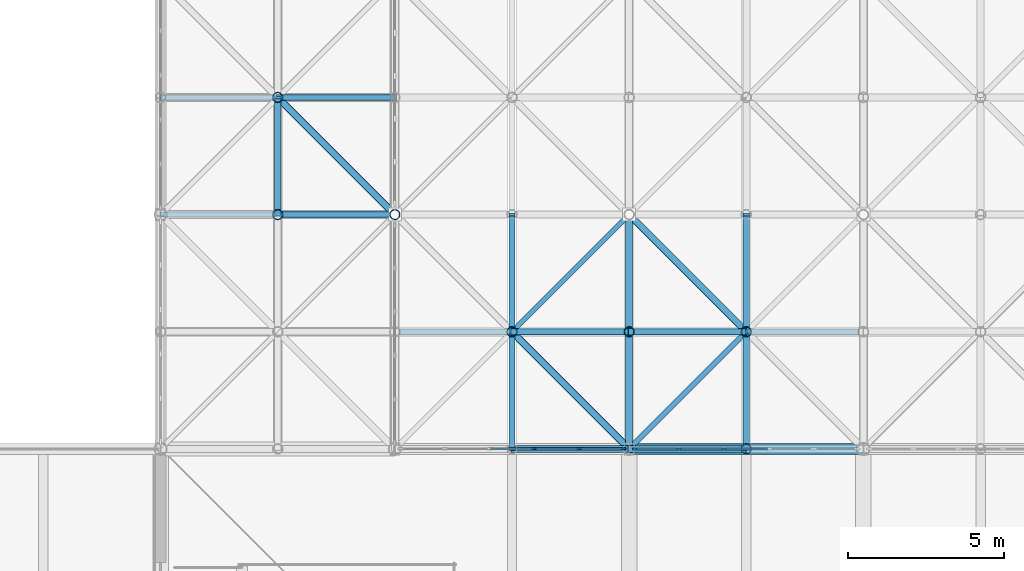
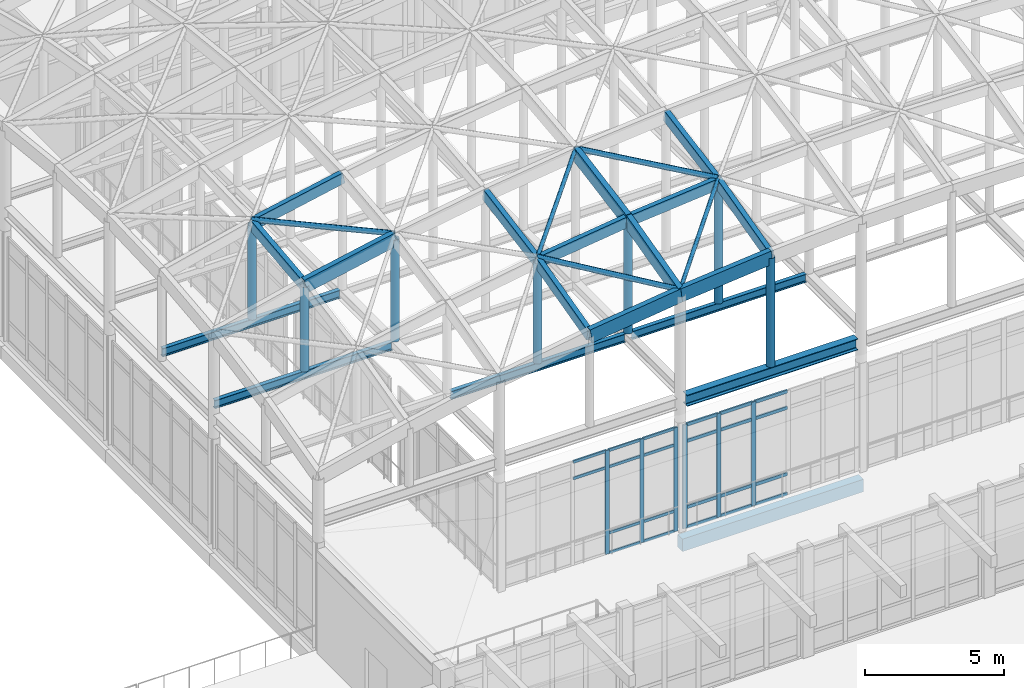
# One storey, part 32 of 131: 53 members, 6 beams, 2 elements without a shape of their own.
"""IFC4 building model written with IfcOpenShell, lengths in metres."""

from ifc_helpers import new_model, si_unit, direction, frame, origin, origin_2d, place, context, subcontext, project, spatial, rectangle, hollow_circle, i_section, extrude, material, layer, layer_set, material_profile, profile_set, type_object, element, aggregate, save


model = new_model("IFC4")

# Units and contexts
model_context = context("Model", 3, precision=1e-05, world=origin(), true_north=direction((0.0, 1.0)))
body_context = subcontext(model_context, "Body", "Model", "MODEL_VIEW")
ifc_project = project(units=[si_unit("LENGTHUNIT", "METRE"), si_unit("AREAUNIT", "SQUARE_METRE"), si_unit("VOLUMEUNIT", "CUBIC_METRE"), si_unit("PLANEANGLEUNIT", "RADIAN"), si_unit("MASSUNIT", "GRAM", prefix="KILO")], contexts=[model_context])

# Site, building, storey
site_placement = place(None, origin())
site = spatial("IfcSite", under=ifc_project, at=site_placement, CompositionType="ELEMENT")
building_placement = place(site_placement, origin())
building = spatial("IfcBuilding", under=site, at=building_placement, Name="Dalvernix Boulevard General Hospital", CompositionType="ELEMENT")
storey_placement = place(building_placement, frame((0.0, 0.0, 9.300048828125)))
storey = spatial("IfcBuildingStorey", under=building, at=storey_placement, Name="L02", CompositionType="ELEMENT", Elevation=9.300048828125)

# Beams
ifc_material_1 = material(Name="Steel S355", Category="steel")
ifc_material_profile_1 = material_profile(ifc_material_1, i_section(OverallWidth=0.300048828125, OverallDepth=0.5, WebThickness=0.014404296875, FlangeThickness=0.028076171875, FilletRadius=0.027099609375, at=origin_2d()), Name="HEB 500")
ifc_profile_set_1 = profile_set([ifc_material_profile_1], Name="Steel S355")
beam_type_1 = type_object("IfcBeamType", Name="BM-RB-02", PredefinedType="BEAM", material=ifc_profile_set_1)
beam_1_placement = place(storey_placement, frame((75.2099609375, 31.5, 5.64990234375), z_axis=(1.0, 0.0, 0.0), x_axis=(0.0, 1.0, 0.0)))
element("IfcBeam", 1, at=beam_1_placement, inside=storey, type_object=beam_type_1, Name="Gridshell Ring Beam S bay 3", PredefinedType="BEAM", context=body_context, shape_type="SweptSolid", body=[
    extrude(i_section(OverallWidth=0.300048828125, OverallDepth=0.5, WebThickness=0.014404296875, FlangeThickness=0.028076171875, FilletRadius=0.027099609375, at=origin_2d()), origin(), (0.0, 0.0, 1.0), 7.080078125),
])
ifc_material_profile_2 = material_profile(ifc_material_1, i_section(OverallWidth=0.169921875, OverallDepth=0.360107421875, WebThickness=0.008056640625, FlangeThickness=0.0126953125, FilletRadius=0.01806640625, at=origin_2d()), Name="IPE 360")
ifc_profile_set_2 = profile_set([ifc_material_profile_2], Name="Steel S355")
beam_type_2 = type_object("IfcBeamType", Name="BM-RB-08", PredefinedType="BEAM", material=ifc_profile_set_2)
for number, where, z_axis, x_axis, name in (
    (2, (67.64208984375, 35.25, 6.219970703125), (1.0, 0.0, 0.0), (0.0, 1.0, 0.0), "ROOF TRUSS Gridshell cross tie 2-1"),
    (3, (75.14208984375, 35.25, 6.219970703125), (1.0, 0.0, 0.0), (0.0, 1.0, 0.0), "ROOF TRUSS Gridshell cross tie 4-1"),
):
    element("IfcBeam", number, at=place(storey_placement, frame(where, z_axis=z_axis, x_axis=x_axis)), inside=storey, type_object=beam_type_2, Name=name, PredefinedType="BEAM", context=body_context, shape_type="SweptSolid", body=[
        extrude(i_section(OverallWidth=0.169921875, OverallDepth=0.360107421875, WebThickness=0.008056640625, FlangeThickness=0.0126953125, FilletRadius=0.01806640625, at=origin_2d()), origin(), (0.0, 0.0, 1.0), 7.2158203125),
    ])
for number, where, z_axis, x_axis, name in (
    (4, (60.0, 39.0, 6.219970703125), (1.0, 0.0, 0.0), (0.0, 1.0, 0.0), "ROOF TRUSS Gridshell cross tie 0-2"),
    (5, (60.0, 42.75, 6.219970703125), (1.0, 0.0, 0.0), (0.0, 1.0, 0.0), "ROOF TRUSS Gridshell cross tie 0-3"),
):
    element("IfcBeam", number, at=place(storey_placement, frame(where, z_axis=z_axis, x_axis=x_axis)), inside=storey, type_object=beam_type_2, Name=name, PredefinedType="BEAM", context=body_context, shape_type="SweptSolid", body=[
        extrude(i_section(OverallWidth=0.169921875, OverallDepth=0.360107421875, WebThickness=0.008056640625, FlangeThickness=0.0126953125, FilletRadius=0.01806640625, at=origin_2d()), origin(), (0.0, 0.0, 1.0), 7.35791015625),
    ])
ifc_material_2 = material(Name="Concrete C35/45", Category="concrete")
ifc_material_profile_3 = material_profile(ifc_material_2, rectangle(XDim=0.35009765625, YDim=0.550048828125, at=origin_2d()), Name="RCB 350x550")
ifc_profile_set_3 = profile_set([ifc_material_profile_3], Name="Concrete C35/45")
beam_type_3 = type_object("IfcBeamType", Name="BM-SB-01-E", PredefinedType="SPANDREL", material=ifc_profile_set_3)
beam_2_placement = place(storey_placement, frame((75.0, 31.5, -0.594970703125), z_axis=(1.0, 0.0, 0.0), x_axis=(0.0, 1.0, 0.0)))
element("IfcBeam", 6, at=beam_2_placement, inside=storey, type_object=beam_type_3, Name="L02 E-W girder E:11-12", PredefinedType="SPANDREL", context=body_context, shape_type="SweptSolid", body=[
    extrude(rectangle(XDim=0.35009765625, YDim=0.550048828125, at=origin_2d()), origin(), (0.0, 0.0, 1.0), 7.5),
])

# Curtain wall, members
ifc_material_3 = material(Name="Thermally broken aluminium and solar-control glass curtain wall", Category="aluminium")
ifc_layer_1 = layer(ifc_material_3, 0.159912109375)
ifc_layer_set_1 = layer_set([ifc_layer_1], Name="Thermally broken aluminium and solar-control glass curtain wall (CW-CW-A-72x46)")
curtain_wall_type_1 = type_object("IfcCurtainWallType", Name="CW-CW-A-72x46", PredefinedType="USERDEFINED", material=ifc_layer_set_1)
curtain_wall_1_placement = place(storey_placement, origin())
curtain_wall_1 = element("IfcCurtainWall", 7, at=curtain_wall_1_placement, inside=storey, type_object=curtain_wall_type_1, Name="L02 curtain wall CW-A-72x46 9-4", ObjectType="GLAZED FACADE", PredefinedType="USERDEFINED")
ifc_material_4 = material(Name="Aluminium EN AW-6060", Category="aluminium")
ifc_material_profile_4 = material_profile(ifc_material_4, rectangle(XDim=0.06005859375, YDim=0.159912109375, at=origin_2d()), Name="ALU MULL 60x160")
ifc_profile_set_4 = profile_set([ifc_material_profile_4], Name="Aluminium EN AW-6060")
member_type_1 = type_object("IfcMemberType", Name="MEM-CW-M1", PredefinedType="MULLION", material=ifc_profile_set_4)
member_1_placement = place(storey_placement, frame((71.968017578125, 31.5, 0.0), z_axis=(0.0, 0.0, 1.0), x_axis=(0.0, 1.0, 0.0)))
member_1 = element("IfcMember", 8, at=member_1_placement, type_object=member_type_1, Name="CW-A-72x46 mullion 4", PredefinedType="MULLION", context=body_context, shape_type="SweptSolid", body=[
    extrude(rectangle(XDim=0.06005859375, YDim=0.159912109375, at=origin_2d()), origin(), (0.0, 0.0, 1.0), 4.550048828125),
])
member_2_placement = place(storey_placement, frame((73.404052734375, 31.5, 0.0), z_axis=(0.0, 0.0, 1.0), x_axis=(0.0, 1.0, 0.0)))
member_2 = element("IfcMember", 9, at=member_2_placement, type_object=member_type_1, Name="CW-A-72x46 mullion 5", PredefinedType="MULLION", context=body_context, shape_type="SweptSolid", body=[
    extrude(rectangle(XDim=0.06005859375, YDim=0.159912109375, at=origin_2d()), origin(), (0.0, 0.0, 1.0), 4.550048828125),
])
member_3_placement = place(storey_placement, frame((74.81005859375, 31.5, 0.0), z_axis=(0.0, 0.0, 1.0), x_axis=(0.0, 1.0, 0.0)))
member_3 = element("IfcMember", 10, at=member_3_placement, type_object=member_type_1, Name="CW-A-72x46 mullion 6", PredefinedType="MULLION", context=body_context, shape_type="SweptSolid", body=[
    extrude(rectangle(XDim=0.06005859375, YDim=0.159912109375, at=origin_2d()), origin(), (0.0, 0.0, 1.0), 4.550048828125),
])

ifc_layer_2 = layer(ifc_material_3, 0.179931640625)
ifc_layer_set_2 = layer_set([ifc_layer_2], Name="Thermally broken aluminium and solar-control glass curtain wall (CW-CW-B-72x46)")
curtain_wall_type_2 = type_object("IfcCurtainWallType", Name="CW-CW-B-72x46", PredefinedType="USERDEFINED", material=ifc_layer_set_2)
curtain_wall_2_placement = place(storey_placement, origin())
curtain_wall_2 = element("IfcCurtainWall", 11, at=curtain_wall_2_placement, inside=storey, type_object=curtain_wall_type_2, Name="L02 curtain wall CW-B-72x46 10-4", ObjectType="GLAZED FACADE", PredefinedType="USERDEFINED")
ifc_material_profile_5 = material_profile(ifc_material_4, rectangle(XDim=0.06494140625, YDim=0.179931640625, at=origin_2d()), Name="ALU MULL 65x180")
ifc_profile_set_5 = profile_set([ifc_material_profile_5], Name="Aluminium EN AW-6060")
member_type_2 = type_object("IfcMemberType", Name="MEM-CW-M2", PredefinedType="MULLION", material=ifc_profile_set_5)
member_4_placement = place(storey_placement, frame((75.1923828125, 31.5, 0.0), z_axis=(0.0, 0.0, 1.0), x_axis=(0.0, 1.0, 0.0)))
member_4 = element("IfcMember", 12, at=member_4_placement, type_object=member_type_2, Name="CW-B-72x46 mullion 1", PredefinedType="MULLION", context=body_context, shape_type="SweptSolid", body=[
    extrude(rectangle(XDim=0.06494140625, YDim=0.179931640625, at=origin_2d()), origin(), (0.0, 0.0, 1.0), 4.550048828125),
])
member_5_placement = place(storey_placement, frame((76.595947265625, 31.5, 0.0), z_axis=(0.0, 0.0, 1.0), x_axis=(0.0, 1.0, 0.0)))
member_5 = element("IfcMember", 13, at=member_5_placement, type_object=member_type_2, Name="CW-B-72x46 mullion 2", PredefinedType="MULLION", context=body_context, shape_type="SweptSolid", body=[
    extrude(rectangle(XDim=0.06494140625, YDim=0.179931640625, at=origin_2d()), origin(), (0.0, 0.0, 1.0), 4.550048828125),
])
member_6_placement = place(storey_placement, frame((78.031982421875, 31.5, 0.0), z_axis=(0.0, 0.0, 1.0), x_axis=(0.0, 1.0, 0.0)))
member_6 = element("IfcMember", 14, at=member_6_placement, type_object=member_type_2, Name="CW-B-72x46 mullion 3", PredefinedType="MULLION", context=body_context, shape_type="SweptSolid", body=[
    extrude(rectangle(XDim=0.06494140625, YDim=0.179931640625, at=origin_2d()), origin(), (0.0, 0.0, 1.0), 4.550048828125),
])

# Member
ifc_material_profile_6 = material_profile(ifc_material_4, rectangle(XDim=0.06005859375, YDim=0.1201171875, at=origin_2d()), Name="ALU TRAN 60x120")
ifc_profile_set_6 = profile_set([ifc_material_profile_6], Name="Aluminium EN AW-6060")
member_type_3 = type_object("IfcMemberType", Name="MEM-CW-T1", PredefinedType="USERDEFINED", material=ifc_profile_set_6)
member_7_placement = place(storey_placement, frame((70.56201171875, 31.5, 3.800048828125), z_axis=(1.0, 0.0, 0.0), x_axis=(0.0, 1.0, 0.0)))
member_7 = element("IfcMember", 15, at=member_7_placement, type_object=member_type_3, Name="CW-A-72x46 transom 3.3", ObjectType="TRANSOM", PredefinedType="USERDEFINED", context=body_context, shape_type="SweptSolid", body=[
    extrude(rectangle(XDim=0.06005859375, YDim=0.1201171875, at=origin_2d()), origin(), (0.0, 0.0, 1.0), 1.3759765625),
])

member_8_placement = place(storey_placement, frame((70.56201171875, 31.5, 4.52001953125), z_axis=(1.0, 0.0, 0.0), x_axis=(0.0, 1.0, 0.0)))
member_8 = element("IfcMember", 16, at=member_8_placement, type_object=member_type_3, Name="CW-A-72x46 transom 3.4", ObjectType="TRANSOM", PredefinedType="USERDEFINED", context=body_context, shape_type="SweptSolid", body=[
    extrude(rectangle(XDim=0.06005859375, YDim=0.1201171875, at=origin_2d()), origin(), (0.0, 0.0, 1.0), 1.3759765625),
])

member_9_placement = place(storey_placement, frame((71.998046875, 31.5, 0.030029296875), z_axis=(1.0, 0.0, 0.0), x_axis=(0.0, 1.0, 0.0)))
member_9 = element("IfcMember", 17, at=member_9_placement, type_object=member_type_3, Name="CW-A-72x46 transom 4.1", ObjectType="TRANSOM", PredefinedType="USERDEFINED", context=body_context, shape_type="SweptSolid", body=[
    extrude(rectangle(XDim=0.06005859375, YDim=0.1201171875, at=origin_2d()), origin(), (0.0, 0.0, 1.0), 1.3759765625),
])

member_10_placement = place(storey_placement, frame((71.998046875, 31.5, 0.89990234375), z_axis=(1.0, 0.0, 0.0), x_axis=(0.0, 1.0, 0.0)))
member_10 = element("IfcMember", 18, at=member_10_placement, type_object=member_type_3, Name="CW-A-72x46 transom 4.2", ObjectType="TRANSOM", PredefinedType="USERDEFINED", context=body_context, shape_type="SweptSolid", body=[
    extrude(rectangle(XDim=0.06005859375, YDim=0.1201171875, at=origin_2d()), origin(), (0.0, 0.0, 1.0), 1.3759765625),
])

member_11_placement = place(storey_placement, frame((71.998046875, 31.5, 3.800048828125), z_axis=(1.0, 0.0, 0.0), x_axis=(0.0, 1.0, 0.0)))
member_11 = element("IfcMember", 19, at=member_11_placement, type_object=member_type_3, Name="CW-A-72x46 transom 4.3", ObjectType="TRANSOM", PredefinedType="USERDEFINED", context=body_context, shape_type="SweptSolid", body=[
    extrude(rectangle(XDim=0.06005859375, YDim=0.1201171875, at=origin_2d()), origin(), (0.0, 0.0, 1.0), 1.3759765625),
])

member_12_placement = place(storey_placement, frame((71.998046875, 31.5, 4.52001953125), z_axis=(1.0, 0.0, 0.0), x_axis=(0.0, 1.0, 0.0)))
member_12 = element("IfcMember", 20, at=member_12_placement, type_object=member_type_3, Name="CW-A-72x46 transom 4.4", ObjectType="TRANSOM", PredefinedType="USERDEFINED", context=body_context, shape_type="SweptSolid", body=[
    extrude(rectangle(XDim=0.06005859375, YDim=0.1201171875, at=origin_2d()), origin(), (0.0, 0.0, 1.0), 1.3759765625),
])

member_13_placement = place(storey_placement, frame((73.43408203125, 31.5, 0.030029296875), z_axis=(1.0, 0.0, 0.0), x_axis=(0.0, 1.0, 0.0)))
member_13 = element("IfcMember", 21, at=member_13_placement, type_object=member_type_3, Name="CW-A-72x46 transom 5.1", ObjectType="TRANSOM", PredefinedType="USERDEFINED", context=body_context, shape_type="SweptSolid", body=[
    extrude(rectangle(XDim=0.06005859375, YDim=0.1201171875, at=origin_2d()), origin(), (0.0, 0.0, 1.0), 1.345947265625),
])

member_14_placement = place(storey_placement, frame((73.43408203125, 31.5, 0.89990234375), z_axis=(1.0, 0.0, 0.0), x_axis=(0.0, 1.0, 0.0)))
member_14 = element("IfcMember", 22, at=member_14_placement, type_object=member_type_3, Name="CW-A-72x46 transom 5.2", ObjectType="TRANSOM", PredefinedType="USERDEFINED", context=body_context, shape_type="SweptSolid", body=[
    extrude(rectangle(XDim=0.06005859375, YDim=0.1201171875, at=origin_2d()), origin(), (0.0, 0.0, 1.0), 1.345947265625),
])

member_15_placement = place(storey_placement, frame((73.43408203125, 31.5, 3.800048828125), z_axis=(1.0, 0.0, 0.0), x_axis=(0.0, 1.0, 0.0)))
member_15 = element("IfcMember", 23, at=member_15_placement, type_object=member_type_3, Name="CW-A-72x46 transom 5.3", ObjectType="TRANSOM", PredefinedType="USERDEFINED", context=body_context, shape_type="SweptSolid", body=[
    extrude(rectangle(XDim=0.06005859375, YDim=0.1201171875, at=origin_2d()), origin(), (0.0, 0.0, 1.0), 1.345947265625),
])

member_16_placement = place(storey_placement, frame((73.43408203125, 31.5, 4.52001953125), z_axis=(1.0, 0.0, 0.0), x_axis=(0.0, 1.0, 0.0)))
member_16 = element("IfcMember", 24, at=member_16_placement, type_object=member_type_3, Name="CW-A-72x46 transom 5.4", ObjectType="TRANSOM", PredefinedType="USERDEFINED", context=body_context, shape_type="SweptSolid", body=[
    extrude(rectangle(XDim=0.06005859375, YDim=0.1201171875, at=origin_2d()), origin(), (0.0, 0.0, 1.0), 1.345947265625),
])

aggregate(curtain_wall_1, [member_1, member_2, member_3, member_7, member_8, member_9, member_10, member_11, member_12, member_13, member_14, member_15, member_16])

ifc_material_profile_7 = material_profile(ifc_material_4, rectangle(XDim=0.06494140625, YDim=0.139892578125, at=origin_2d()), Name="ALU TRAN 65x140")
ifc_profile_set_7 = profile_set([ifc_material_profile_7], Name="Aluminium EN AW-6060")
member_type_4 = type_object("IfcMemberType", Name="MEM-CW-T2", PredefinedType="USERDEFINED", material=ifc_profile_set_7)
member_17_placement = place(storey_placement, frame((75.22509765625, 31.5, 0.032470703125), z_axis=(1.0, 0.0, 0.0), x_axis=(0.0, 1.0, 0.0)))
member_17 = element("IfcMember", 25, at=member_17_placement, type_object=member_type_4, Name="CW-B-72x46 transom 1.1", ObjectType="TRANSOM", PredefinedType="USERDEFINED", context=body_context, shape_type="SweptSolid", body=[
    extrude(rectangle(XDim=0.06494140625, YDim=0.139892578125, at=origin_2d()), origin(), (0.0, 0.0, 1.0), 1.33837890625),
])

member_18_placement = place(storey_placement, frame((75.22509765625, 31.5, 0.89990234375), z_axis=(1.0, 0.0, 0.0), x_axis=(0.0, 1.0, 0.0)))
member_18 = element("IfcMember", 26, at=member_18_placement, type_object=member_type_4, Name="CW-B-72x46 transom 1.2", ObjectType="TRANSOM", PredefinedType="USERDEFINED", context=body_context, shape_type="SweptSolid", body=[
    extrude(rectangle(XDim=0.06494140625, YDim=0.139892578125, at=origin_2d()), origin(), (0.0, 0.0, 1.0), 1.33837890625),
])

member_19_placement = place(storey_placement, frame((75.22509765625, 31.5, 3.800048828125), z_axis=(1.0, 0.0, 0.0), x_axis=(0.0, 1.0, 0.0)))
member_19 = element("IfcMember", 27, at=member_19_placement, type_object=member_type_4, Name="CW-B-72x46 transom 1.3", ObjectType="TRANSOM", PredefinedType="USERDEFINED", context=body_context, shape_type="SweptSolid", body=[
    extrude(rectangle(XDim=0.06494140625, YDim=0.139892578125, at=origin_2d()), origin(), (0.0, 0.0, 1.0), 1.33837890625),
])

member_20_placement = place(storey_placement, frame((75.22509765625, 31.5, 4.517333984375), z_axis=(1.0, 0.0, 0.0), x_axis=(0.0, 1.0, 0.0)))
member_20 = element("IfcMember", 28, at=member_20_placement, type_object=member_type_4, Name="CW-B-72x46 transom 1.4", ObjectType="TRANSOM", PredefinedType="USERDEFINED", context=body_context, shape_type="SweptSolid", body=[
    extrude(rectangle(XDim=0.06494140625, YDim=0.139892578125, at=origin_2d()), origin(), (0.0, 0.0, 1.0), 1.33837890625),
])

member_21_placement = place(storey_placement, frame((76.62841796875, 31.5, 0.032470703125), z_axis=(1.0, 0.0, 0.0), x_axis=(0.0, 1.0, 0.0)))
member_21 = element("IfcMember", 29, at=member_21_placement, type_object=member_type_4, Name="CW-B-72x46 transom 2.1", ObjectType="TRANSOM", PredefinedType="USERDEFINED", context=body_context, shape_type="SweptSolid", body=[
    extrude(rectangle(XDim=0.06494140625, YDim=0.139892578125, at=origin_2d()), origin(), (0.0, 0.0, 1.0), 1.37109375),
])

member_22_placement = place(storey_placement, frame((76.62841796875, 31.5, 0.89990234375), z_axis=(1.0, 0.0, 0.0), x_axis=(0.0, 1.0, 0.0)))
member_22 = element("IfcMember", 30, at=member_22_placement, type_object=member_type_4, Name="CW-B-72x46 transom 2.2", ObjectType="TRANSOM", PredefinedType="USERDEFINED", context=body_context, shape_type="SweptSolid", body=[
    extrude(rectangle(XDim=0.06494140625, YDim=0.139892578125, at=origin_2d()), origin(), (0.0, 0.0, 1.0), 1.37109375),
])

member_23_placement = place(storey_placement, frame((76.62841796875, 31.5, 3.800048828125), z_axis=(1.0, 0.0, 0.0), x_axis=(0.0, 1.0, 0.0)))
member_23 = element("IfcMember", 31, at=member_23_placement, type_object=member_type_4, Name="CW-B-72x46 transom 2.3", ObjectType="TRANSOM", PredefinedType="USERDEFINED", context=body_context, shape_type="SweptSolid", body=[
    extrude(rectangle(XDim=0.06494140625, YDim=0.139892578125, at=origin_2d()), origin(), (0.0, 0.0, 1.0), 1.37109375),
])

member_24_placement = place(storey_placement, frame((76.62841796875, 31.5, 4.517333984375), z_axis=(1.0, 0.0, 0.0), x_axis=(0.0, 1.0, 0.0)))
member_24 = element("IfcMember", 32, at=member_24_placement, type_object=member_type_4, Name="CW-B-72x46 transom 2.4", ObjectType="TRANSOM", PredefinedType="USERDEFINED", context=body_context, shape_type="SweptSolid", body=[
    extrude(rectangle(XDim=0.06494140625, YDim=0.139892578125, at=origin_2d()), origin(), (0.0, 0.0, 1.0), 1.37109375),
])

member_25_placement = place(storey_placement, frame((78.064453125, 31.5, 0.032470703125), z_axis=(1.0, 0.0, 0.0), x_axis=(0.0, 1.0, 0.0)))
member_25 = element("IfcMember", 33, at=member_25_placement, type_object=member_type_4, Name="CW-B-72x46 transom 3.1", ObjectType="TRANSOM", PredefinedType="USERDEFINED", context=body_context, shape_type="SweptSolid", body=[
    extrude(rectangle(XDim=0.06494140625, YDim=0.139892578125, at=origin_2d()), origin(), (0.0, 0.0, 1.0), 1.37109375),
])

member_26_placement = place(storey_placement, frame((78.064453125, 31.5, 0.89990234375), z_axis=(1.0, 0.0, 0.0), x_axis=(0.0, 1.0, 0.0)))
member_26 = element("IfcMember", 34, at=member_26_placement, type_object=member_type_4, Name="CW-B-72x46 transom 3.2", ObjectType="TRANSOM", PredefinedType="USERDEFINED", context=body_context, shape_type="SweptSolid", body=[
    extrude(rectangle(XDim=0.06494140625, YDim=0.139892578125, at=origin_2d()), origin(), (0.0, 0.0, 1.0), 1.37109375),
])

member_27_placement = place(storey_placement, frame((78.064453125, 31.5, 3.800048828125), z_axis=(1.0, 0.0, 0.0), x_axis=(0.0, 1.0, 0.0)))
member_27 = element("IfcMember", 35, at=member_27_placement, type_object=member_type_4, Name="CW-B-72x46 transom 3.3", ObjectType="TRANSOM", PredefinedType="USERDEFINED", context=body_context, shape_type="SweptSolid", body=[
    extrude(rectangle(XDim=0.06494140625, YDim=0.139892578125, at=origin_2d()), origin(), (0.0, 0.0, 1.0), 1.37109375),
])

member_28_placement = place(storey_placement, frame((78.064453125, 31.5, 4.517333984375), z_axis=(1.0, 0.0, 0.0), x_axis=(0.0, 1.0, 0.0)))
member_28 = element("IfcMember", 36, at=member_28_placement, type_object=member_type_4, Name="CW-B-72x46 transom 3.4", ObjectType="TRANSOM", PredefinedType="USERDEFINED", context=body_context, shape_type="SweptSolid", body=[
    extrude(rectangle(XDim=0.06494140625, YDim=0.139892578125, at=origin_2d()), origin(), (0.0, 0.0, 1.0), 1.37109375),
])

aggregate(curtain_wall_2, [member_4, member_5, member_6, member_17, member_18, member_19, member_20, member_21, member_22, member_23, member_24, member_25, member_26, member_27, member_28])

# Members
ifc_material_5 = material(Name="Glulam GL28h", Category="wood")
ifc_material_profile_8 = material_profile(ifc_material_5, rectangle(XDim=0.219970703125, YDim=0.60009765625, at=origin_2d()), Name="GL28h 220x600")
ifc_profile_set_8 = profile_set([ifc_material_profile_8], Name="Glulam GL28h")
member_type_5 = type_object("IfcMemberType", Name="MEM-GS-C1", PredefinedType="CHORD", material=ifc_profile_set_8)
member_29_placement = place(storey_placement, frame((71.25, 31.5, 9.83984375), z_axis=(0.99171987465, 0.0, 0.128419975956), x_axis=(0.0, 1.0, 0.0)))
element("IfcMember", 37, at=member_29_placement, inside=storey, type_object=member_type_5, Name="ROOF TRUSS Gridshell E-W glulam rib 4-1", PredefinedType="CHORD", context=body_context, shape_type="SweptSolid", body=[
    extrude(rectangle(XDim=0.219970703125, YDim=0.60009765625, at=origin_2d()), origin(), (0.0, 0.0, 1.0), 3.78125),
])
member_30_placement = place(storey_placement, frame((75.0, 31.5, 10.325439453125), z_axis=(0.995747945021, 0.0, 0.092119650382), x_axis=(0.0, 1.0, 0.0)))
element("IfcMember", 38, at=member_30_placement, inside=storey, type_object=member_type_5, Name="ROOF TRUSS Gridshell E-W glulam rib 5-1", PredefinedType="CHORD", context=body_context, shape_type="SweptSolid", body=[
    extrude(rectangle(XDim=0.219970703125, YDim=0.60009765625, at=origin_2d()), origin(), (0.0, 0.0, 1.0), 3.76611328125),
])
member_31_placement = place(storey_placement, frame((63.75, 39.0, 10.10205078125), z_axis=(0.979912579686, 0.0, 0.1994275211), x_axis=(0.0, 1.0, 0.0)))
element("IfcMember", 39, at=member_31_placement, inside=storey, type_object=member_type_5, Name="ROOF TRUSS Gridshell E-W glulam rib 2-3", PredefinedType="CHORD", context=body_context, shape_type="SweptSolid", body=[
    extrude(rectangle(XDim=0.219970703125, YDim=0.60009765625, at=origin_2d()), origin(), (0.0, 0.0, 1.0), 3.826904296875),
])
member_32_placement = place(storey_placement, frame((75.0, 31.5, 10.325439453125), z_axis=(0.0, 0.968610158303, 0.248584716408), x_axis=(-1.0, 0.0, 0.0)))
element("IfcMember", 40, at=member_32_placement, inside=storey, type_object=member_type_5, Name="ROOF TRUSS Gridshell N-S glulam rib 5-1", PredefinedType="CHORD", context=body_context, shape_type="SweptSolid", body=[
    extrude(rectangle(XDim=0.219970703125, YDim=0.60009765625, at=origin_2d()), origin(), (0.0, 0.0, 1.0), 3.87158203125),
])
member_33_placement = place(storey_placement, frame((75.0, 35.25, 11.287841796875), z_axis=(0.0, 0.983606557377, 0.180327868852), x_axis=(-1.0, 0.0, 0.0)))
element("IfcMember", 41, at=member_33_placement, inside=storey, type_object=member_type_5, Name="ROOF TRUSS Gridshell N-S glulam rib 5-2", PredefinedType="CHORD", context=body_context, shape_type="SweptSolid", body=[
    extrude(rectangle(XDim=0.219970703125, YDim=0.60009765625, at=origin_2d()), origin(), (0.0, 0.0, 1.0), 3.8125),
])
ifc_material_profile_9 = material_profile(ifc_material_5, rectangle(XDim=0.199951171875, YDim=0.47998046875, at=origin_2d()), Name="GL28h 200x480")
ifc_profile_set_9 = profile_set([ifc_material_profile_9], Name="Glulam GL28h")
member_type_6 = type_object("IfcMemberType", Name="MEM-GS-C2", PredefinedType="CHORD", material=ifc_profile_set_9)
member_34_placement = place(storey_placement, frame((71.25, 35.25, 10.80224609375), z_axis=(0.99171987465, 0.0, 0.128419975956), x_axis=(0.0, 1.0, 0.0)))
element("IfcMember", 42, at=member_34_placement, inside=storey, type_object=member_type_6, Name="ROOF TRUSS Gridshell E-W glulam rib 4-2", PredefinedType="CHORD", context=body_context, shape_type="SweptSolid", body=[
    extrude(rectangle(XDim=0.199951171875, YDim=0.47998046875, at=origin_2d()), origin(), (0.0, 0.0, 1.0), 3.78125),
])
member_35_placement = place(storey_placement, frame((75.0, 35.25, 11.287841796875), z_axis=(0.995747945021, 0.0, 0.092119650382), x_axis=(0.0, 1.0, 0.0)))
element("IfcMember", 43, at=member_35_placement, inside=storey, type_object=member_type_6, Name="ROOF TRUSS Gridshell E-W glulam rib 5-2", PredefinedType="CHORD", context=body_context, shape_type="SweptSolid", body=[
    extrude(rectangle(XDim=0.199951171875, YDim=0.47998046875, at=origin_2d()), origin(), (0.0, 0.0, 1.0), 3.76611328125),
])
member_36_placement = place(storey_placement, frame((63.75, 42.75, 10.514404296875), z_axis=(0.979900110741, 0.0, 0.199488779055), x_axis=(0.0, 1.0, 0.0)))
element("IfcMember", 44, at=member_36_placement, inside=storey, type_object=member_type_6, Name="ROOF TRUSS Gridshell E-W glulam rib 2-4", PredefinedType="CHORD", context=body_context, shape_type="SweptSolid", body=[
    extrude(rectangle(XDim=0.199951171875, YDim=0.47998046875, at=origin_2d()), origin(), (0.0, 0.0, 1.0), 3.826904296875),
])
member_37_placement = place(storey_placement, frame((63.75, 39.0, 10.10205078125), z_axis=(0.0, 0.994008575263, 0.109302114819), x_axis=(-1.0, 0.0, 0.0)))
element("IfcMember", 45, at=member_37_placement, inside=storey, type_object=member_type_6, Name="ROOF TRUSS Gridshell N-S glulam rib 2-3", PredefinedType="CHORD", context=body_context, shape_type="SweptSolid", body=[
    extrude(rectangle(XDim=0.199951171875, YDim=0.47998046875, at=origin_2d()), origin(), (0.0, 0.0, 1.0), 3.772705078125),
])
member_38_placement = place(storey_placement, frame((71.25, 31.5, 9.83984375), z_axis=(0.0, 0.968610158303, 0.248584716408), x_axis=(-1.0, 0.0, 0.0)))
element("IfcMember", 46, at=member_38_placement, inside=storey, type_object=member_type_6, Name="ROOF TRUSS Gridshell N-S glulam rib 4-1", PredefinedType="CHORD", context=body_context, shape_type="SweptSolid", body=[
    extrude(rectangle(XDim=0.199951171875, YDim=0.47998046875, at=origin_2d()), origin(), (0.0, 0.0, 1.0), 3.87158203125),
])
member_39_placement = place(storey_placement, frame((71.25, 35.25, 10.80224609375), z_axis=(0.0, 0.983606557377, 0.180327868852), x_axis=(-1.0, 0.0, 0.0)))
element("IfcMember", 47, at=member_39_placement, inside=storey, type_object=member_type_6, Name="ROOF TRUSS Gridshell N-S glulam rib 4-2", PredefinedType="CHORD", context=body_context, shape_type="SweptSolid", body=[
    extrude(rectangle(XDim=0.199951171875, YDim=0.47998046875, at=origin_2d()), origin(), (0.0, 0.0, 1.0), 3.8125),
])
member_40_placement = place(storey_placement, frame((78.75, 31.5, 10.67236328125), z_axis=(0.0, 0.968610158303, 0.248584716408), x_axis=(-1.0, 0.0, 0.0)))
element("IfcMember", 48, at=member_40_placement, inside=storey, type_object=member_type_6, Name="ROOF TRUSS Gridshell N-S glulam rib 6-1", PredefinedType="CHORD", context=body_context, shape_type="SweptSolid", body=[
    extrude(rectangle(XDim=0.199951171875, YDim=0.47998046875, at=origin_2d()), origin(), (0.0, 0.0, 1.0), 3.87158203125),
])
member_41_placement = place(storey_placement, frame((78.75, 35.25, 11.634765625), z_axis=(0.0, 0.983606557377, 0.180327868852), x_axis=(-1.0, 0.0, 0.0)))
element("IfcMember", 49, at=member_41_placement, inside=storey, type_object=member_type_6, Name="ROOF TRUSS Gridshell N-S glulam rib 6-2", PredefinedType="CHORD", context=body_context, shape_type="SweptSolid", body=[
    extrude(rectangle(XDim=0.199951171875, YDim=0.47998046875, at=origin_2d()), origin(), (0.0, 0.0, 1.0), 3.8125),
])
ifc_material_profile_10 = material_profile(ifc_material_1, hollow_circle(Radius=0.161865234375, WallThickness=0.012451171875, at=origin_2d()), Name="CHS 323.9x12.5")
ifc_profile_set_10 = profile_set([ifc_material_profile_10], Name="Steel S355")
member_type_7 = type_object("IfcMemberType", Name="MEM-GS-C3", PredefinedType="CHORD", material=ifc_profile_set_10)
member_42_placement = place(storey_placement, frame((78.75, 31.5, 5.89990234375), z_axis=(0.0, 0.0, 1.0), x_axis=(1.0, 0.0, 0.0)))
element("IfcMember", 50, at=member_42_placement, inside=storey, type_object=member_type_7, Name="Gridshell edge mullion 5-0", PredefinedType="CHORD", context=body_context, shape_type="SweptSolid", body=[
    extrude(hollow_circle(Radius=0.161865234375, WallThickness=0.012451171875, at=origin_2d()), origin(), (0.0, 0.0, 1.0), 4.7724609375),
])
member_43_placement = place(storey_placement, frame((63.75, 39.0, 6.39990234375), z_axis=(0.0, 0.0, 1.0), x_axis=(1.0, 0.0, 0.0)))
element("IfcMember", 51, at=member_43_placement, inside=storey, type_object=member_type_7, Name="ROOF TRUSS Gridshell arch queen post 1-2", PredefinedType="CHORD", context=body_context, shape_type="SweptSolid", body=[
    extrude(hollow_circle(Radius=0.161865234375, WallThickness=0.012451171875, at=origin_2d()), origin(), (0.0, 0.0, 1.0), 3.7021484375),
])
member_44_placement = place(storey_placement, frame((63.75, 42.75, 6.39990234375), z_axis=(0.0, 0.0, 1.0), x_axis=(1.0, 0.0, 0.0)))
element("IfcMember", 52, at=member_44_placement, inside=storey, type_object=member_type_7, Name="ROOF TRUSS Gridshell arch queen post 1-3", PredefinedType="CHORD", context=body_context, shape_type="SweptSolid", body=[
    extrude(hollow_circle(Radius=0.161865234375, WallThickness=0.012451171875, at=origin_2d()), origin(), (0.0, 0.0, 1.0), 4.114501953125),
])
member_45_placement = place(storey_placement, frame((67.5, 39.0, 6.39990234375), z_axis=(0.0, 0.0, 1.0), x_axis=(1.0, 0.0, 0.0)))
element("IfcMember", 53, at=member_45_placement, inside=storey, type_object=member_type_7, Name="ROOF TRUSS Gridshell arch queen post 2-2", PredefinedType="CHORD", context=body_context, shape_type="SweptSolid", body=[
    extrude(hollow_circle(Radius=0.161865234375, WallThickness=0.012451171875, at=origin_2d()), origin(), (0.0, 0.0, 1.0), 4.46533203125),
])
member_46_placement = place(storey_placement, frame((71.25, 35.25, 6.39990234375), z_axis=(0.0, 0.0, 1.0), x_axis=(1.0, 0.0, 0.0)))
element("IfcMember", 54, at=member_46_placement, inside=storey, type_object=member_type_7, Name="ROOF TRUSS Gridshell arch queen post 3-1", PredefinedType="CHORD", context=body_context, shape_type="SweptSolid", body=[
    extrude(hollow_circle(Radius=0.161865234375, WallThickness=0.012451171875, at=origin_2d()), origin(), (0.0, 0.0, 1.0), 4.40234375),
])
member_47_placement = place(storey_placement, frame((75.0, 35.25, 6.39990234375), z_axis=(0.0, 0.0, 1.0), x_axis=(1.0, 0.0, 0.0)))
element("IfcMember", 55, at=member_47_placement, inside=storey, type_object=member_type_7, Name="ROOF TRUSS Gridshell arch queen post 4-1", PredefinedType="CHORD", context=body_context, shape_type="SweptSolid", body=[
    extrude(hollow_circle(Radius=0.161865234375, WallThickness=0.012451171875, at=origin_2d()), origin(), (0.0, 0.0, 1.0), 4.887939453125),
])
member_48_placement = place(storey_placement, frame((78.75, 35.25, 6.39990234375), z_axis=(0.0, 0.0, 1.0), x_axis=(1.0, 0.0, 0.0)))
element("IfcMember", 56, at=member_48_placement, inside=storey, type_object=member_type_7, Name="ROOF TRUSS Gridshell arch queen post 5-1", PredefinedType="CHORD", context=body_context, shape_type="SweptSolid", body=[
    extrude(hollow_circle(Radius=0.161865234375, WallThickness=0.012451171875, at=origin_2d()), origin(), (0.0, 0.0, 1.0), 5.23486328125),
])
ifc_material_profile_11 = material_profile(ifc_material_1, hollow_circle(Radius=0.084228515625, WallThickness=0.00634765625, at=origin_2d()), Name="CHS 168.3x6.3")
ifc_profile_set_11 = profile_set([ifc_material_profile_11], Name="Steel S355")
member_type_8 = type_object("IfcMemberType", Name="MEM-GSD-01", PredefinedType="BRACE", material=ifc_profile_set_11)
member_49_placement = place(storey_placement, frame((71.25, 35.25, 10.9921875), z_axis=(0.690410761728, 0.690410761728, 0.216023054744), x_axis=(-0.707106781187, 0.707106781187, 0.0)))
element("IfcMember", 57, at=member_49_placement, inside=storey, type_object=member_type_8, Name="ROOF TRUSS Gridshell diagrid tube 4-2", PredefinedType="BRACE", context=body_context, shape_type="SweptSolid", body=[
    extrude(hollow_circle(Radius=0.084228515625, WallThickness=0.00634765625, at=origin_2d()), origin(), (0.0, 0.0, 1.0), 5.431640625),
])
member_50_placement = place(storey_placement, frame((75.0, 31.5, 10.515380859375), z_axis=(0.68648656875, 0.68648656875, 0.239733981431), x_axis=(-0.707106781187, 0.707106781187, 0.0)))
element("IfcMember", 58, at=member_50_placement, inside=storey, type_object=member_type_8, Name="ROOF TRUSS Gridshell diagrid tube 5-1", PredefinedType="BRACE", context=body_context, shape_type="SweptSolid", body=[
    extrude(hollow_circle(Radius=0.084228515625, WallThickness=0.00634765625, at=origin_2d()), origin(), (0.0, 0.0, 1.0), 5.462646484375),
])
ifc_material_profile_12 = material_profile(ifc_material_1, hollow_circle(Radius=0.109619140625, WallThickness=0.008056640625, at=origin_2d()), Name="CHS 219.1x8.0")
ifc_profile_set_12 = profile_set([ifc_material_profile_12], Name="Steel S355")
member_type_9 = type_object("IfcMemberType", Name="MEM-GSD-02", PredefinedType="BRACE", material=ifc_profile_set_12)
member_51_placement = place(storey_placement, frame((67.5, 39.0, 11.05517578125), z_axis=(-0.705564606628, 0.705564606628, -0.066008876284), x_axis=(-0.707106781187, -0.707106781187, 0.0)))
element("IfcMember", 59, at=member_51_placement, inside=storey, type_object=member_type_9, Name="ROOF TRUSS Gridshell diagrid tube 2-3", PredefinedType="BRACE", context=body_context, shape_type="SweptSolid", body=[
    extrude(hollow_circle(Radius=0.109619140625, WallThickness=0.008056640625, at=origin_2d()), origin(), (0.0, 0.0, 1.0), 5.31494140625),
])
member_52_placement = place(storey_placement, frame((75.0, 31.5, 10.515380859375), z_axis=(-0.704266091131, 0.704266091131, 0.089546333072), x_axis=(-0.707106781187, -0.707106781187, 0.0)))
element("IfcMember", 60, at=member_52_placement, inside=storey, type_object=member_type_9, Name="ROOF TRUSS Gridshell diagrid tube 4-1", PredefinedType="BRACE", context=body_context, shape_type="SweptSolid", body=[
    extrude(hollow_circle(Radius=0.109619140625, WallThickness=0.008056640625, at=origin_2d()), origin(), (0.0, 0.0, 1.0), 5.32470703125),
])
member_53_placement = place(storey_placement, frame((78.75, 35.25, 11.824951171875), z_axis=(-0.705653163492, 0.705653163492, 0.064087640825), x_axis=(-0.707106781187, -0.707106781187, 0.0)))
element("IfcMember", 61, at=member_53_placement, inside=storey, type_object=member_type_9, Name="ROOF TRUSS Gridshell diagrid tube 5-2", PredefinedType="BRACE", context=body_context, shape_type="SweptSolid", body=[
    extrude(hollow_circle(Radius=0.109619140625, WallThickness=0.008056640625, at=origin_2d()), origin(), (0.0, 0.0, 1.0), 5.314208984375),
])

save(model, "model.ifc")
